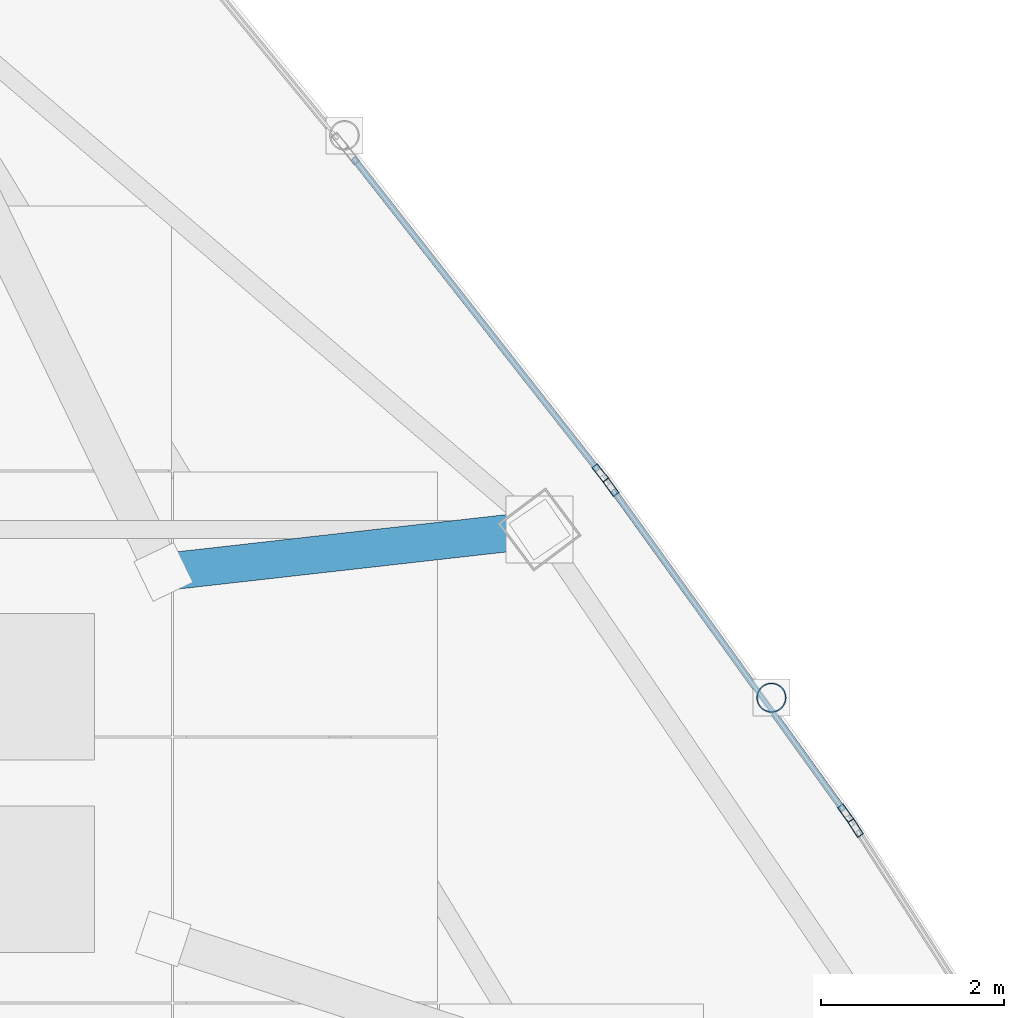
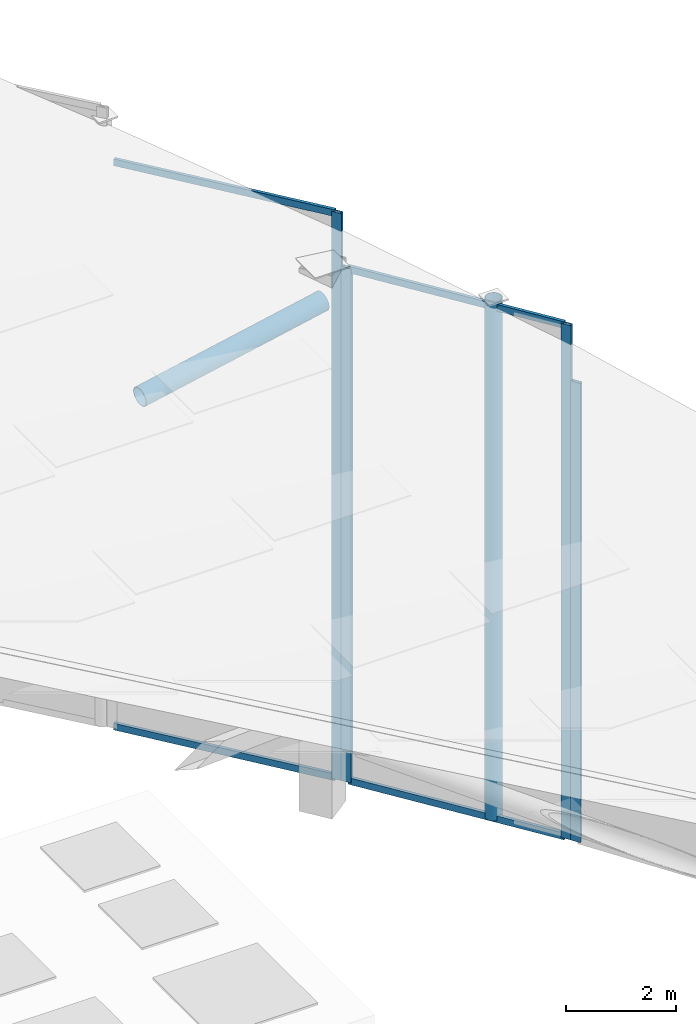
# One storey, part 10 of 21: 10 members, 3 elements without a shape of their own.
"""IFC4 building model written with IfcOpenShell, lengths in metres."""

from ifc_helpers import new_model, si_unit, direction, frame, origin, origin_2d, place, context, subcontext, project, spatial, hollow_rectangle, hollow_circle, extrude, material, layer, layer_set, material_profile, profile_set, type_object, element, aggregate, save


model = new_model("IFC4")

# Units and contexts
model_context = context("Model", 3, precision=1e-05, world=origin(), true_north=direction((0.0, 1.0)))
body_context = subcontext(model_context, "Body", "Model", "MODEL_VIEW")
ifc_project = project(units=[si_unit("LENGTHUNIT", "METRE"), si_unit("AREAUNIT", "SQUARE_METRE"), si_unit("VOLUMEUNIT", "CUBIC_METRE"), si_unit("PLANEANGLEUNIT", "RADIAN"), si_unit("MASSUNIT", "GRAM", prefix="KILO")], contexts=[model_context])

# Site, building, storey
site_placement = place(None, origin())
site = spatial("IfcSite", under=ifc_project, at=site_placement, CompositionType="ELEMENT")
building_placement = place(site_placement, origin())
building = spatial("IfcBuilding", under=site, at=building_placement, Name="Orvanel Arch Residences", CompositionType="ELEMENT")
storey_placement = place(building_placement, frame((0.0, 0.0, 314.89990234375)))
storey = spatial("IfcBuildingStorey", under=building, at=storey_placement, Name="RF", CompositionType="ELEMENT", Elevation=314.89990234375)

# Curtain wall, member
ifc_material_1 = material(Name="Bronze-anodised aluminium AA6063-T6", Category="aluminium")
ifc_layer = layer(ifc_material_1, 0.2099609375)
ifc_layer_set = layer_set([ifc_layer], Name="Bronze-anodised aluminium AA6063-T6")
curtain_wall_type = type_object("IfcCurtainWallType", Name="CW7-TOP-SYS", PredefinedType="NOTDEFINED", material=ifc_layer_set)
curtain_wall_1_placement = place(storey_placement, origin())
curtain_wall_1 = element("IfcCurtainWall", 1, at=curtain_wall_1_placement, inside=storey, type_object=curtain_wall_type, Name="RF CW7-TOP-SYS Unitised Curtain Wall", PredefinedType="NOTDEFINED")
ifc_material_profile_1 = material_profile(ifc_material_1, hollow_rectangle(XDim=0.074951171875, YDim=0.199951171875, WallThickness=0.0048828125, at=origin_2d()), Name="ALU200x75x5")
ifc_profile_set_1 = profile_set([ifc_material_profile_1], Name="Bronze-anodised aluminium AA6063-T6")
member_type_1 = type_object("IfcMemberType", Name="MUL-200x75", PredefinedType="MULLION", material=ifc_profile_set_1)
member_1_placement = place(storey_placement, frame((43.796142578125, 31.859375, 0.0), z_axis=(0.0, 0.0, 1.0), x_axis=(-0.841866013197, -0.539686590369, 0.0)))
member_1 = element("IfcMember", 2, at=member_1_placement, type_object=member_type_1, Name="CW-S7 mullion 2", PredefinedType="MULLION", context=body_context, shape_type="SweptSolid", body=[
    extrude(hollow_rectangle(XDim=0.074951171875, YDim=0.199951171875, WallThickness=0.0048828125, at=origin_2d()), origin(), (0.0, 0.0, 1.0), 10.18115234375),
])
aggregate(curtain_wall_1, [member_1])

# Curtain wall, members
curtain_wall_2_placement = place(storey_placement, origin())
curtain_wall_2 = element("IfcCurtainWall", 3, at=curtain_wall_2_placement, inside=storey, type_object=curtain_wall_type, Name="RF CW7-TOP-SYS Unitised Curtain Wall", PredefinedType="NOTDEFINED")
member_2_placement = place(storey_placement, frame((43.68701171875, 32.021484375, 0.0), z_axis=(0.0, 0.0, 1.0), x_axis=(-0.811542859794, -0.584292894632, 0.0)))
member_2 = element("IfcMember", 4, at=member_2_placement, type_object=member_type_1, Name="CW-S7 mullion 1", PredefinedType="MULLION", context=body_context, shape_type="SweptSolid", body=[
    extrude(hollow_rectangle(XDim=0.074951171875, YDim=0.199951171875, WallThickness=0.0048828125, at=origin_2d()), origin(), (0.0, 0.0, 1.0), 11.405029296875),
])
member_3_placement = place(storey_placement, frame((41.12890625, 35.574462890625, 0.0), z_axis=(0.0, 0.0, 1.0), x_axis=(-0.811542859794, -0.584292894632, 0.0)))
member_3 = element("IfcMember", 5, at=member_3_placement, type_object=member_type_1, Name="CW-S7 mullion 2", PredefinedType="MULLION", context=body_context, shape_type="SweptSolid", body=[
    extrude(hollow_rectangle(XDim=0.074951171875, YDim=0.199951171875, WallThickness=0.0048828125, at=origin_2d()), origin(), (0.0, 0.0, 1.0), 11.405029296875),
])

# Curtain wall, member
curtain_wall_3_placement = place(storey_placement, origin())
curtain_wall_3 = element("IfcCurtainWall", 6, at=curtain_wall_3_placement, inside=storey, type_object=curtain_wall_type, Name="RF CW7-TOP-SYS Unitised Curtain Wall", PredefinedType="NOTDEFINED")
member_4_placement = place(storey_placement, frame((41.011962890625, 35.73046875, 0.0), z_axis=(0.0, 0.0, 1.0), x_axis=(-0.786830004799, -0.617169785025, 0.0)))
member_4 = element("IfcMember", 7, at=member_4_placement, type_object=member_type_1, Name="CW-S7 mullion 1", PredefinedType="MULLION", context=body_context, shape_type="SweptSolid", body=[
    extrude(hollow_rectangle(XDim=0.074951171875, YDim=0.199951171875, WallThickness=0.0048828125, at=origin_2d()), origin(), (0.0, 0.0, 1.0), 12.5771484375),
])

# Members
ifc_material_2 = material(Name="Structural steel AS/NZS 1163 C350L0 (Grade 350)", Category="steel")
ifc_material_profile_2 = material_profile(ifc_material_2, hollow_circle(Radius=0.202880859375, WallThickness=0.01611328125, at=origin_2d()), Name="CHS406x16")
ifc_profile_set_2 = profile_set([ifc_material_profile_2], Name="Structural steel AS/NZS 1163 C350L0 (Grade 350)")
member_type_2 = type_object("IfcMemberType", Name="RF-406CHS-EXT", PredefinedType="RAFTER", material=ifc_profile_set_2)
member_5_placement = place(storey_placement, frame((40.35205078125, 35.113037109375, 11.2021484375), z_axis=(-0.98870227651, -0.11162767638, -0.100035345201), x_axis=(0.112190436608, -0.993686724241, 0.0)))
element("IfcMember", 8, at=member_5_placement, inside=storey, type_object=member_type_2, Name="RF Slanted Crown Structural Soffit Rafter 12", PredefinedType="RAFTER", context=body_context, shape_type="SweptSolid", body=[
    extrude(hollow_circle(Radius=0.202880859375, WallThickness=0.01611328125, at=origin_2d()), origin(), (0.0, 0.0, 1.0), 4.14892578125),
])
ifc_material_profile_3 = material_profile(ifc_material_2, hollow_circle(Radius=0.162109375, WallThickness=0.0126953125, at=origin_2d()), Name="CHS324x12.7")
ifc_profile_set_3 = profile_set([ifc_material_profile_3], Name="Structural steel AS/NZS 1163 C350L0 (Grade 350)")
member_type_3 = type_object("IfcMemberType", Name="ST-324CHS-EXT", PredefinedType="STRUT", material=ifc_profile_set_3)
member_6_placement = place(storey_placement, frame((42.87890625, 33.280029296875, 0.0), z_axis=(0.0, 0.0, 1.0), x_axis=(1.0, 0.0, 0.0)))
element("IfcMember", 9, at=member_6_placement, inside=storey, type_object=member_type_3, Name="RF Crown Outer Perimeter Frame Post 11", PredefinedType="STRUT", context=body_context, shape_type="SweptSolid", body=[
    extrude(hollow_circle(Radius=0.162109375, WallThickness=0.0126953125, at=origin_2d()), origin(), (0.0, 0.0, 1.0), 11.504150390625),
])

# Member
ifc_material_profile_4 = material_profile(ifc_material_1, hollow_rectangle(XDim=0.06494140625, YDim=0.14990234375, WallThickness=0.00390625, at=origin_2d()), Name="ALU150x65x4")
ifc_profile_set_4 = profile_set([ifc_material_profile_4], Name="Bronze-anodised aluminium AA6063-T6")
member_type_4 = type_object("IfcMemberType", Name="TRN-150x65", PredefinedType="USERDEFINED", material=ifc_profile_set_4)
member_7_placement = place(storey_placement, frame((43.665283203125, 32.0517578125, 0.03271484375), z_axis=(-0.584282307835, 0.811550481948, 0.0), x_axis=(-0.811550481948, -0.584282307835, 0.0)))
member_7 = element("IfcMember", 10, at=member_7_placement, type_object=member_type_4, Name="CW-S7 transom 1.1", ObjectType="TRANSOM", PredefinedType="USERDEFINED", context=body_context, shape_type="SweptSolid", body=[
    extrude(hollow_rectangle(XDim=0.06494140625, YDim=0.14990234375, WallThickness=0.00390625, at=origin_2d()), origin(), (0.0, 0.0, 1.0), 4.303466796875),
])

member_8_placement = place(storey_placement, frame((43.665283203125, 32.0517578125, 11.37255859375), z_axis=(-0.584282307835, 0.811550481948, 0.0), x_axis=(-0.811550481948, -0.584282307835, 0.0)))
member_8 = element("IfcMember", 11, at=member_8_placement, type_object=member_type_4, Name="CW-S7 transom 1.2", ObjectType="TRANSOM", PredefinedType="USERDEFINED", context=body_context, shape_type="SweptSolid", body=[
    extrude(hollow_rectangle(XDim=0.06494140625, YDim=0.14990234375, WallThickness=0.00390625, at=origin_2d()), origin(), (0.0, 0.0, 1.0), 4.303466796875),
])

aggregate(curtain_wall_2, [member_2, member_3, member_7, member_8])

member_9_placement = place(storey_placement, frame((40.98876953125, 35.760009765625, 0.03271484375), z_axis=(-0.617160499402, 0.786837288121, 0.0), x_axis=(-0.786837288121, -0.617160499402, 0.0)))
member_9 = element("IfcMember", 12, at=member_9_placement, type_object=member_type_4, Name="CW-S7 transom 1.1", ObjectType="TRANSOM", PredefinedType="USERDEFINED", context=body_context, shape_type="SweptSolid", body=[
    extrude(hollow_rectangle(XDim=0.06494140625, YDim=0.14990234375, WallThickness=0.00390625, at=origin_2d()), origin(), (0.0, 0.0, 1.0), 4.32373046875),
])

member_10_placement = place(storey_placement, frame((40.98876953125, 35.760009765625, 12.544677734375), z_axis=(-0.617160499402, 0.786837288121, 0.0), x_axis=(-0.786837288121, -0.617160499402, 0.0)))
member_10 = element("IfcMember", 13, at=member_10_placement, type_object=member_type_4, Name="CW-S7 transom 1.2", ObjectType="TRANSOM", PredefinedType="USERDEFINED", context=body_context, shape_type="SweptSolid", body=[
    extrude(hollow_rectangle(XDim=0.06494140625, YDim=0.14990234375, WallThickness=0.00390625, at=origin_2d()), origin(), (0.0, 0.0, 1.0), 4.32373046875),
])

aggregate(curtain_wall_3, [member_4, member_9, member_10])

save(model, "model.ifc")
